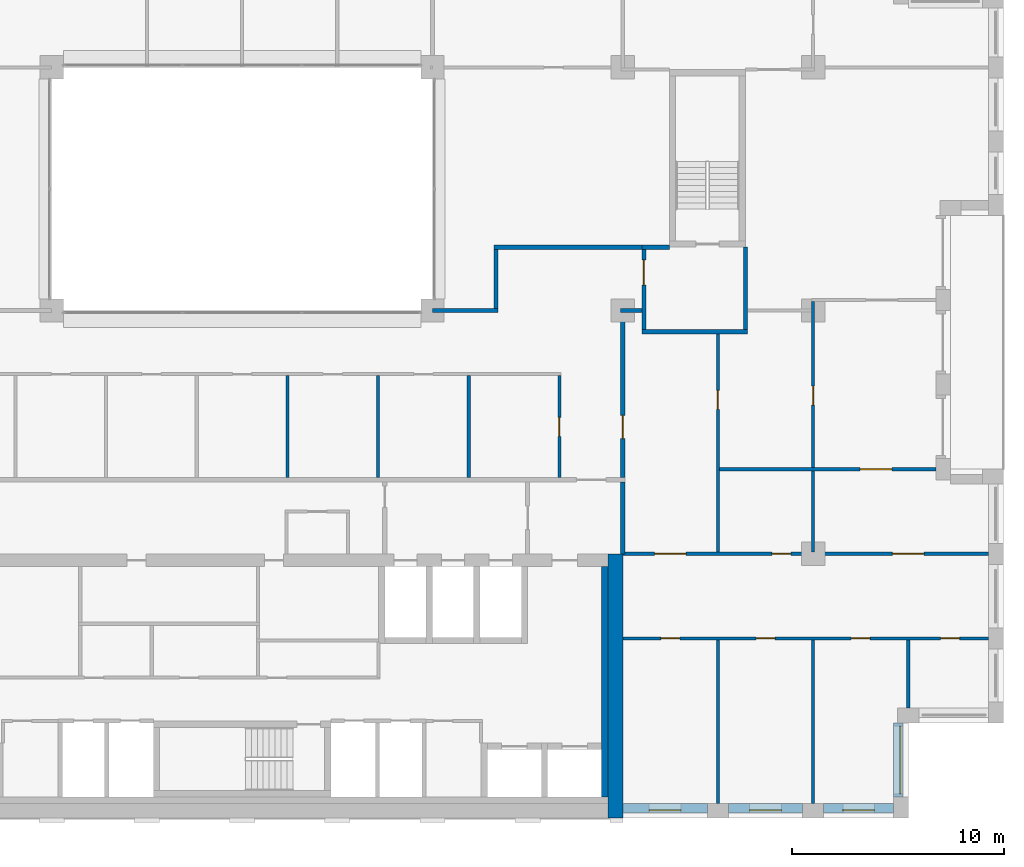
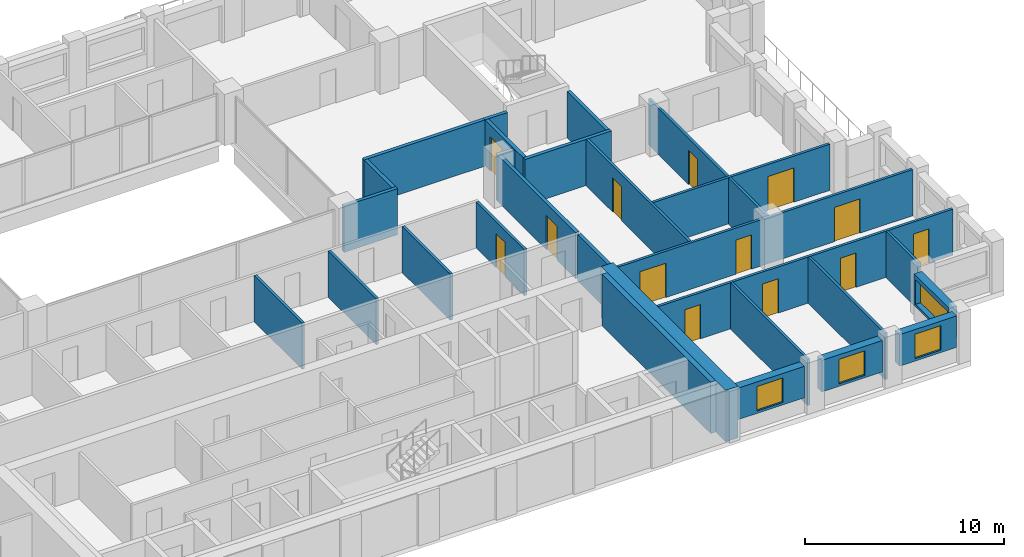
# One storey, part 11 of 15: 29 walls, 13 doors, 4 windows, 17 openings.
"""IFC4 building model written with IfcOpenShell, lengths in metres."""

from ifc_helpers import new_model, si_unit, direction, frame, frame_2d, origin, place, context, subcontext, project, spatial, rectangle, extrude, material, layer, layer_set, type_object, element, fill, save


model = new_model("IFC4")

# Units and contexts
model_context = context("Model", 3, precision=1e-05, world=origin(), true_north=direction((0.0, 1.0)))
body_context = subcontext(model_context, "Body", "Model", "MODEL_VIEW")
ifc_project = project(units=[si_unit("LENGTHUNIT", "METRE"), si_unit("AREAUNIT", "SQUARE_METRE"), si_unit("VOLUMEUNIT", "CUBIC_METRE"), si_unit("PLANEANGLEUNIT", "RADIAN"), si_unit("MASSUNIT", "GRAM", prefix="KILO")], contexts=[model_context])

# Site, building, storey
site_placement = place(None, origin())
site = spatial("IfcSite", under=ifc_project, at=site_placement, CompositionType="ELEMENT")
building_placement = place(site_placement, origin())
building = spatial("IfcBuilding", under=site, at=building_placement, Name="Brigalow Station Residences", CompositionType="ELEMENT")
storey_placement = place(building_placement, frame((0.0, 0.0, 175.949951171875)))
storey = spatial("IfcBuildingStorey", under=building, at=storey_placement, Name="L51", CompositionType="ELEMENT", Elevation=175.949951171875)

# Wall, opening, window
ifc_material_1 = material(Name="Clay brick masonry", Category="masonry")
ifc_layer_1 = layer(ifc_material_1, 0.449951171875)
ifc_layer_set_1 = layer_set([ifc_layer_1], Name="BRICK INFILL WALL 450")
wall_type_1 = type_object("IfcWallType", Name="BRICK INFILL WALL 450", PredefinedType="SOLIDWALL", material=ifc_layer_set_1)
wall_1_placement = place(storey_placement, frame((54.0, 0.47509765625, 0.900146484375), z_axis=(0.0, 0.0, 1.0), x_axis=(1.0, 0.0, 0.0)))
wall_1 = element("IfcWall", 1, at=wall_1_placement, inside=storey, type_object=wall_type_1, Name="L51/ewall/W-L51-4", PredefinedType="SOLIDWALL", context=body_context, shape_type="SweptSolid", body=[
    extrude(rectangle(XDim=4.0, YDim=0.449951171875, at=frame_2d((2.0, 0.0))), origin(), (0.0, 0.0, 1.0), 1.929931640625),
])
opening_1_placement = place(wall_1_placement, frame((1.25, 0.0, 0.14990234375)))
opening_1 = element("IfcOpeningElement", 2, at=opening_1_placement, cuts=wall_1, Name="Opening WT-1", PredefinedType="OPENING", context=body_context, shape_type="SweptSolid", body=[
    extrude(rectangle(XDim=1.5, YDim=1.5, at=frame_2d((0.75, 0.75))), frame((0.0, 0.23486328125, 0.0), z_axis=(0.0, -1.0, 0.0), x_axis=(1.0, 0.0, 0.0)), (0.0, 0.0, 1.0), 0.469970703125),
])
ifc_material_2 = material(Name="Anodised aluminium frame with double glazing", Category="aluminium")
window_type_1 = type_object("IfcWindowType", Name="WINDOW 1500x1500", PartitioningType="SINGLE_PANEL", PredefinedType="WINDOW", material=ifc_material_2)
window_1_placement = place(opening_1_placement, origin())
window_1 = element("IfcWindow", 3, at=window_1_placement, inside=storey, type_object=window_type_1, Name="L51/window/W-L51-4", OverallHeight=1.5, OverallWidth=1.5, PartitioningType="SINGLE_PANEL", PredefinedType="WINDOW", context=body_context, shape_type="SweptSolid", body=[
    extrude(rectangle(XDim=1.5, YDim=1.5, at=frame_2d((0.75, 0.75))), frame((0.0, -0.06494140625, 0.0), z_axis=(0.0, -1.0, 0.0), x_axis=(1.0, 0.0, 0.0)), (0.0, 0.0, 1.0), 0.06005859375),
])
fill(opening_1, window_1)

wall_2_placement = place(storey_placement, frame((59.0, 0.47509765625, 0.900146484375), z_axis=(0.0, 0.0, 1.0), x_axis=(1.0, 0.0, 0.0)))
wall_2 = element("IfcWall", 4, at=wall_2_placement, inside=storey, type_object=wall_type_1, Name="L51/ewall/W-L51-5", PredefinedType="SOLIDWALL", context=body_context, shape_type="SweptSolid", body=[
    extrude(rectangle(XDim=3.5, YDim=0.449951171875, at=frame_2d((1.75, 0.0))), origin(), (0.0, 0.0, 1.0), 1.929931640625),
])
opening_2_placement = place(wall_2_placement, frame((1.0, 0.0, 0.14990234375)))
opening_2 = element("IfcOpeningElement", 5, at=opening_2_placement, cuts=wall_2, Name="Opening WT-1", PredefinedType="OPENING", context=body_context, shape_type="SweptSolid", body=[
    extrude(rectangle(XDim=1.5, YDim=1.5, at=frame_2d((0.75, 0.75))), frame((0.0, 0.23486328125, 0.0), z_axis=(0.0, -1.0, 0.0), x_axis=(1.0, 0.0, 0.0)), (0.0, 0.0, 1.0), 0.469970703125),
])
window_2_placement = place(opening_2_placement, origin())
window_2 = element("IfcWindow", 6, at=window_2_placement, inside=storey, type_object=window_type_1, Name="L51/window/W-L51-5", OverallHeight=1.5, OverallWidth=1.5, PartitioningType="SINGLE_PANEL", PredefinedType="WINDOW", context=body_context, shape_type="SweptSolid", body=[
    extrude(rectangle(XDim=1.5, YDim=1.5, at=frame_2d((0.75, 0.75))), frame((0.0, -0.06494140625, 0.0), z_axis=(0.0, -1.0, 0.0), x_axis=(1.0, 0.0, 0.0)), (0.0, 0.0, 1.0), 0.06005859375),
])
fill(opening_2, window_2)

wall_3_placement = place(storey_placement, frame((63.5, 0.47509765625, 0.900146484375), z_axis=(0.0, 0.0, 1.0), x_axis=(1.0, 0.0, 0.0)))
wall_3 = element("IfcWall", 7, at=wall_3_placement, inside=storey, type_object=wall_type_1, Name="L51/ewall/W-L51-6", PredefinedType="SOLIDWALL", context=body_context, shape_type="SweptSolid", body=[
    extrude(rectangle(XDim=3.300048828125, YDim=0.449951171875, at=frame_2d((1.64990234375, 0.0))), origin(), (0.0, 0.0, 1.0), 1.929931640625),
])
opening_3_placement = place(wall_3_placement, frame((0.89990234375, 0.0, 0.14990234375)))
opening_3 = element("IfcOpeningElement", 8, at=opening_3_placement, cuts=wall_3, Name="Opening WT-1", PredefinedType="OPENING", context=body_context, shape_type="SweptSolid", body=[
    extrude(rectangle(XDim=1.5, YDim=1.5, at=frame_2d((0.75, 0.75))), frame((0.0, 0.23486328125, 0.0), z_axis=(0.0, -1.0, 0.0), x_axis=(1.0, 0.0, 0.0)), (0.0, 0.0, 1.0), 0.469970703125),
])
window_3_placement = place(opening_3_placement, origin())
window_3 = element("IfcWindow", 9, at=window_3_placement, inside=storey, type_object=window_type_1, Name="L51/window/W-L51-6", OverallHeight=1.5, OverallWidth=1.5, PartitioningType="SINGLE_PANEL", PredefinedType="WINDOW", context=body_context, shape_type="SweptSolid", body=[
    extrude(rectangle(XDim=1.5, YDim=1.5, at=frame_2d((0.75, 0.75))), frame((0.0, -0.06494140625, 0.0), z_axis=(0.0, -1.0, 0.0), x_axis=(1.0, 0.0, 0.0)), (0.0, 0.0, 1.0), 0.06005859375),
])
fill(opening_3, window_3)

wall_4_placement = place(storey_placement, frame((67.02490234375, 1.0, 0.900146484375), z_axis=(0.0, 0.0, 1.0), x_axis=(0.0, 1.0, 0.0)))
wall_4 = element("IfcWall", 10, at=wall_4_placement, inside=storey, type_object=wall_type_1, Name="L51/ewall/W-L51-7", PredefinedType="SOLIDWALL", context=body_context, shape_type="SweptSolid", body=[
    extrude(rectangle(XDim=3.5, YDim=0.449951171875, at=frame_2d((1.75, 0.0))), origin(), (0.0, 0.0, 1.0), 1.929931640625),
])
opening_4_placement = place(wall_4_placement, frame((0.14990234375, 0.0, 0.14990234375)))
opening_4 = element("IfcOpeningElement", 11, at=opening_4_placement, cuts=wall_4, Name="Opening WT-9", PredefinedType="OPENING", context=body_context, shape_type="SweptSolid", body=[
    extrude(rectangle(XDim=3.199951171875, YDim=1.5, at=frame_2d((1.60009765625, 0.75))), frame((0.0, 0.23486328125, 0.0), z_axis=(0.0, -1.0, 0.0), x_axis=(1.0, 0.0, 0.0)), (0.0, 0.0, 1.0), 0.469970703125),
])
ifc_material_3 = material(Name="Anodised aluminium frame with double glazing", Category="aluminium")
window_type_2 = type_object("IfcWindowType", Name="WINDOW 3200x1500", PartitioningType="SINGLE_PANEL", PredefinedType="WINDOW", material=ifc_material_3)
window_4_placement = place(opening_4_placement, origin())
window_4 = element("IfcWindow", 12, at=window_4_placement, inside=storey, type_object=window_type_2, Name="L51/window/W-L51-7", OverallHeight=1.5, OverallWidth=3.199951171875, PartitioningType="SINGLE_PANEL", PredefinedType="WINDOW", context=body_context, shape_type="SweptSolid", body=[
    extrude(rectangle(XDim=3.199951171875, YDim=1.5, at=frame_2d((1.60009765625, 0.75))), frame((0.0, -0.06494140625, 0.0), z_axis=(0.0, -1.0, 0.0), x_axis=(1.0, 0.0, 0.0)), (0.0, 0.0, 1.0), 0.06005859375),
])
fill(opening_4, window_4)

# Walls
ifc_material_4 = material(Name="Concrete C65", Category="concrete")
ifc_layer_2 = layer(ifc_material_4, 0.300048828125)
ifc_layer_set_2 = layer_set([ifc_layer_2], Name="CORE SHEAR WALL 300 C65")
wall_type_2 = type_object("IfcWallType", Name="CORE SHEAR WALL 300 C65", PredefinedType="SHEAR", material=ifc_layer_set_2)
wall_5_placement = place(storey_placement, frame((53.14990234375, 1.0, 0.0), z_axis=(0.0, 0.0, 1.0), x_axis=(0.0, 1.0, 0.0)))
element("IfcWall", 13, at=wall_5_placement, inside=storey, type_object=wall_type_2, Name="CORE WALL LIN-E L51", PredefinedType="SHEAR", context=body_context, shape_type="SweptSolid", body=[
    extrude(rectangle(XDim=10.89990234375, YDim=0.300048828125, at=frame_2d((5.449951171875, 0.0))), origin(), (0.0, 0.0, 1.0), 3.150146484375),
])
ifc_material_5 = material(Name="Concrete C65", Category="concrete")
ifc_layer_3 = layer(ifc_material_5, 0.699951171875)
ifc_layer_set_3 = layer_set([ifc_layer_3], Name="CORE SHEAR WALL 700 C65")
wall_type_3 = type_object("IfcWallType", Name="CORE SHEAR WALL 700 C65", PredefinedType="SHEAR", material=ifc_layer_set_3)
wall_6_placement = place(storey_placement, frame((53.64990234375, 0.0, 0.0), z_axis=(0.0, 0.0, 1.0), x_axis=(0.0, 1.0, 0.0)))
element("IfcWall", 14, at=wall_6_placement, inside=storey, type_object=wall_type_3, Name="CORE WALL OUT-E L51", PredefinedType="SHEAR", context=body_context, shape_type="SweptSolid", body=[
    extrude(rectangle(XDim=12.5, YDim=0.699951171875, at=frame_2d((6.25, 0.0))), origin(), (0.0, 0.0, 1.0), 3.150146484375),
])
ifc_material_6 = material(Name="Concrete blockwork", Category="masonry")
ifc_layer_4 = layer(ifc_material_6, 0.199951171875)
ifc_layer_set_4 = layer_set([ifc_layer_4], Name="FIRE RATED CORE PARTITION 200")
wall_type_4 = type_object("IfcWallType", Name="FIRE RATED CORE PARTITION 200", PredefinedType="PARTITIONING", material=ifc_layer_set_4)
wall_7_placement = place(storey_placement, frame((54.89990234375, 23.0, 0.0), z_axis=(0.0, 0.0, 1.0), x_axis=(1.0, 0.0, 0.0)))
element("IfcWall", 15, at=wall_7_placement, inside=storey, type_object=wall_type_4, Name="PW-5024", PredefinedType="PARTITIONING", context=body_context, shape_type="SweptSolid", body=[
    extrude(rectangle(XDim=5.0, YDim=0.199951171875, at=frame_2d((2.5, 0.0))), origin(), (0.0, 0.0, 1.0), 2.830078125),
])
wall_8_placement = place(storey_placement, frame((54.89990234375, 27.0, 0.0), z_axis=(0.0, 0.0, 1.0), x_axis=(1.0, 0.0, 0.0)))
element("IfcWall", 16, at=wall_8_placement, inside=storey, type_object=wall_type_4, Name="PW-5026", PredefinedType="PARTITIONING", context=body_context, shape_type="SweptSolid", body=[
    extrude(rectangle(XDim=1.300048828125, YDim=0.199951171875, at=frame_2d((0.64990234375, 0.0))), origin(), (0.0, 0.0, 1.0), 2.830078125),
])
wall_9_placement = place(storey_placement, frame((54.0, 12.5, 0.0), z_axis=(0.0, 0.0, 1.0), x_axis=(0.0, 1.0, 0.0)))
element("IfcWall", 17, at=wall_9_placement, inside=storey, type_object=wall_type_4, Name="PW-5016", PredefinedType="PARTITIONING", context=body_context, shape_type="SweptSolid", body=[
    extrude(rectangle(XDim=3.39990234375, YDim=0.199951171875, at=frame_2d((1.699951171875, 0.0))), origin(), (0.0, 0.0, 1.0), 2.830078125),
])

# Wall, opening, door
wall_10_placement = place(storey_placement, frame((55.0, 23.10009765625, 0.0), z_axis=(0.0, 0.0, 1.0), x_axis=(0.0, 1.0, 0.0)))
wall_10 = element("IfcWall", 18, at=wall_10_placement, inside=storey, type_object=wall_type_4, Name="PW-5036", PredefinedType="PARTITIONING", context=body_context, shape_type="SweptSolid", body=[
    extrude(rectangle(XDim=3.7998046875, YDim=0.199951171875, at=frame_2d((1.89990234375, 0.0))), origin(), (0.0, 0.0, 1.0), 2.830078125),
])
opening_5_placement = place(wall_10_placement, frame((2.10009765625, 0.0, 0.0)))
opening_5 = element("IfcOpeningElement", 19, at=opening_5_placement, cuts=wall_10, Name="Opening D-5019", PredefinedType="OPENING", context=body_context, shape_type="SweptSolid", body=[
    extrude(rectangle(XDim=1.199951171875, YDim=2.10009765625, at=frame_2d((0.60009765625, 1.050048828125))), frame((0.0, 0.10986328125, 0.0), z_axis=(0.0, -1.0, 0.0), x_axis=(1.0, 0.0, 0.0)), (0.0, 0.0, 1.0), 0.219970703125),
])
ifc_material_7 = material(Name="Steel fire door leaf in steel frame", Category="steel")
door_type_1 = type_object("IfcDoorType", Name="STAIR LOBBY DOOR 1200 x 2100 FD60S", OperationType="SINGLE_SWING_LEFT", PredefinedType="DOOR", material=ifc_material_7)
door_1_placement = place(opening_5_placement, frame((1.199951171875, 0.0, 0.0), z_axis=(0.0, 0.0, 1.0), x_axis=(-1.0, 0.0, 0.0)))
door_1 = element("IfcDoor", 20, at=door_1_placement, inside=storey, type_object=door_type_1, Name="D-5019", OperationType="SINGLE_SWING_LEFT", OverallHeight=2.10009765625, OverallWidth=1.199951171875, PredefinedType="DOOR", context=body_context, shape_type="SweptSolid", body=[
    extrude(rectangle(XDim=1.199951171875, YDim=2.10009765625, at=frame_2d((0.60009765625, 1.050048828125))), frame((0.0, 0.02490234375, 0.0), z_axis=(0.0, -1.0, 0.0), x_axis=(1.0, 0.0, 0.0)), (0.0, 0.0, 1.0), 0.050048828125),
])
fill(opening_5, door_1)

# Wall
wall_11_placement = place(storey_placement, frame((59.800048828125, 23.10009765625, 0.0), z_axis=(0.0, 0.0, 1.0), x_axis=(0.0, 1.0, 0.0)))
element("IfcWall", 21, at=wall_11_placement, inside=storey, type_object=wall_type_4, Name="PW-5037", PredefinedType="PARTITIONING", context=body_context, shape_type="SweptSolid", body=[
    extrude(rectangle(XDim=3.89990234375, YDim=0.199951171875, at=frame_2d((1.949951171875, 0.0))), origin(), (0.0, 0.0, 1.0), 2.830078125),
])

# Wall, openings, doors
ifc_material_8 = material(Name="Plasterboard on steel stud partition", Category="steel")
ifc_layer_5 = layer(ifc_material_8, 0.14990234375)
ifc_layer_set_5 = layer_set([ifc_layer_5], Name="FLAT PARTITION 150")
wall_type_5 = type_object("IfcWallType", Name="FLAT PARTITION 150", PredefinedType="PARTITIONING", material=ifc_layer_set_5)
wall_12_placement = place(storey_placement, frame((54.0, 8.5, 0.0), z_axis=(0.0, 0.0, 1.0), x_axis=(1.0, 0.0, 0.0)))
wall_12 = element("IfcWall", 22, at=wall_12_placement, inside=storey, type_object=wall_type_5, Name="PW-3E10", PredefinedType="PARTITIONING", context=body_context, shape_type="SweptSolid", body=[
    extrude(rectangle(XDim=17.300048828125, YDim=0.14990234375, at=frame_2d((8.64990234375, 0.0))), origin(), (0.0, 0.0, 1.0), 2.830078125),
])
opening_6_placement = place(wall_12_placement, frame((1.800048828125, 0.0, 0.0)))
opening_6 = element("IfcOpeningElement", 23, at=opening_6_placement, cuts=wall_12, Name="Opening D-3E21", PredefinedType="OPENING", context=body_context, shape_type="SweptSolid", body=[
    extrude(rectangle(XDim=0.89990234375, YDim=2.10009765625, at=frame_2d((0.449951171875, 1.050048828125))), frame((0.0, 0.0849609375, 0.0), z_axis=(0.0, -1.0, 0.0), x_axis=(1.0, 0.0, 0.0)), (0.0, 0.0, 1.0), 0.169921875),
])
opening_7_placement = place(wall_12_placement, frame((6.300048828125, 0.0, 0.0)))
opening_7 = element("IfcOpeningElement", 24, at=opening_7_placement, cuts=wall_12, Name="Opening D-3E22", PredefinedType="OPENING", context=body_context, shape_type="SweptSolid", body=[
    extrude(rectangle(XDim=0.89990234375, YDim=2.10009765625, at=frame_2d((0.449951171875, 1.050048828125))), frame((0.0, 0.0849609375, 0.0), z_axis=(0.0, -1.0, 0.0), x_axis=(1.0, 0.0, 0.0)), (0.0, 0.0, 1.0), 0.169921875),
])
opening_8_placement = place(wall_12_placement, frame((10.800048828125, 0.0, 0.0)))
opening_8 = element("IfcOpeningElement", 25, at=opening_8_placement, cuts=wall_12, Name="Opening D-3E23", PredefinedType="OPENING", context=body_context, shape_type="SweptSolid", body=[
    extrude(rectangle(XDim=0.89990234375, YDim=2.10009765625, at=frame_2d((0.449951171875, 1.050048828125))), frame((0.0, 0.0849609375, 0.0), z_axis=(0.0, -1.0, 0.0), x_axis=(1.0, 0.0, 0.0)), (0.0, 0.0, 1.0), 0.169921875),
])
opening_9_placement = place(wall_12_placement, frame((15.02490234375, 0.0, 0.0)))
opening_9 = element("IfcOpeningElement", 26, at=opening_9_placement, cuts=wall_12, Name="Opening D-3E24", PredefinedType="OPENING", context=body_context, shape_type="SweptSolid", body=[
    extrude(rectangle(XDim=0.89990234375, YDim=2.10009765625, at=frame_2d((0.449951171875, 1.050048828125))), frame((0.0, 0.0849609375, 0.0), z_axis=(0.0, -1.0, 0.0), x_axis=(1.0, 0.0, 0.0)), (0.0, 0.0, 1.0), 0.169921875),
])
ifc_material_9 = material(Name="Solid-core timber door leaf", Category="wood")
door_type_2 = type_object("IfcDoorType", Name="INTERNAL DOOR 900 x 2100", OperationType="SINGLE_SWING_LEFT", PredefinedType="DOOR", material=ifc_material_9)
door_2_placement = place(opening_6_placement, frame((0.89990234375, 0.0, 0.0), z_axis=(0.0, 0.0, 1.0), x_axis=(-1.0, 0.0, 0.0)))
door_2 = element("IfcDoor", 27, at=door_2_placement, inside=storey, type_object=door_type_2, Name="D-3E21", OperationType="SINGLE_SWING_LEFT", OverallHeight=2.10009765625, OverallWidth=0.89990234375, PredefinedType="DOOR", context=body_context, shape_type="SweptSolid", body=[
    extrude(rectangle(XDim=0.89990234375, YDim=2.10009765625, at=frame_2d((0.449951171875, 1.050048828125))), frame((0.0, 0.02490234375, 0.0), z_axis=(0.0, -1.0, 0.0), x_axis=(1.0, 0.0, 0.0)), (0.0, 0.0, 1.0), 0.050048828125),
])
fill(opening_6, door_2)
door_3_placement = place(opening_7_placement, frame((0.89990234375, 0.0, 0.0), z_axis=(0.0, 0.0, 1.0), x_axis=(-1.0, 0.0, 0.0)))
door_3 = element("IfcDoor", 28, at=door_3_placement, inside=storey, type_object=door_type_2, Name="D-3E22", OperationType="SINGLE_SWING_LEFT", OverallHeight=2.10009765625, OverallWidth=0.89990234375, PredefinedType="DOOR", context=body_context, shape_type="SweptSolid", body=[
    extrude(rectangle(XDim=0.89990234375, YDim=2.10009765625, at=frame_2d((0.449951171875, 1.050048828125))), frame((0.0, 0.02490234375, 0.0), z_axis=(0.0, -1.0, 0.0), x_axis=(1.0, 0.0, 0.0)), (0.0, 0.0, 1.0), 0.050048828125),
])
fill(opening_7, door_3)
door_4_placement = place(opening_8_placement, frame((0.89990234375, 0.0, 0.0), z_axis=(0.0, 0.0, 1.0), x_axis=(-1.0, 0.0, 0.0)))
door_4 = element("IfcDoor", 29, at=door_4_placement, inside=storey, type_object=door_type_2, Name="D-3E23", OperationType="SINGLE_SWING_LEFT", OverallHeight=2.10009765625, OverallWidth=0.89990234375, PredefinedType="DOOR", context=body_context, shape_type="SweptSolid", body=[
    extrude(rectangle(XDim=0.89990234375, YDim=2.10009765625, at=frame_2d((0.449951171875, 1.050048828125))), frame((0.0, 0.02490234375, 0.0), z_axis=(0.0, -1.0, 0.0), x_axis=(1.0, 0.0, 0.0)), (0.0, 0.0, 1.0), 0.050048828125),
])
fill(opening_8, door_4)
door_5_placement = place(opening_9_placement, frame((0.89990234375, 0.0, 0.0), z_axis=(0.0, 0.0, 1.0), x_axis=(-1.0, 0.0, 0.0)))
door_5 = element("IfcDoor", 30, at=door_5_placement, inside=storey, type_object=door_type_2, Name="D-3E24", OperationType="SINGLE_SWING_LEFT", OverallHeight=2.10009765625, OverallWidth=0.89990234375, PredefinedType="DOOR", context=body_context, shape_type="SweptSolid", body=[
    extrude(rectangle(XDim=0.89990234375, YDim=2.10009765625, at=frame_2d((0.449951171875, 1.050048828125))), frame((0.0, 0.02490234375, 0.0), z_axis=(0.0, -1.0, 0.0), x_axis=(1.0, 0.0, 0.0)), (0.0, 0.0, 1.0), 0.050048828125),
])
fill(opening_9, door_5)

# Wall, opening, door
wall_13_placement = place(storey_placement, frame((58.574951171875, 16.5, 0.0), z_axis=(0.0, 0.0, 1.0), x_axis=(1.0, 0.0, 0.0)))
wall_13 = element("IfcWall", 31, at=wall_13_placement, inside=storey, type_object=wall_type_5, Name="PW-3E12", PredefinedType="PARTITIONING", context=body_context, shape_type="SweptSolid", body=[
    extrude(rectangle(XDim=10.22509765625, YDim=0.14990234375, at=frame_2d((5.112548828125, 0.0))), origin(), (0.0, 0.0, 1.0), 2.830078125),
])
opening_10_placement = place(wall_13_placement, frame((6.64990234375, 0.0, 0.0)))
opening_10 = element("IfcOpeningElement", 32, at=opening_10_placement, cuts=wall_13, Name="Opening D-3E28", PredefinedType="OPENING", context=body_context, shape_type="SweptSolid", body=[
    extrude(rectangle(XDim=1.5, YDim=2.10009765625, at=frame_2d((0.75, 1.050048828125))), frame((0.0, 0.0849609375, 0.0), z_axis=(0.0, -1.0, 0.0), x_axis=(1.0, 0.0, 0.0)), (0.0, 0.0, 1.0), 0.169921875),
])
ifc_material_10 = material(Name="Solid-core timber door leaf", Category="wood")
door_type_3 = type_object("IfcDoorType", Name="INTERNAL DOUBLE DOOR 1500 x 2100", OperationType="DOUBLE_DOOR_SINGLE_SWING", PredefinedType="DOOR", material=ifc_material_10)
door_6_placement = place(opening_10_placement, frame((1.5, 0.0, 0.0), z_axis=(0.0, 0.0, 1.0), x_axis=(-1.0, 0.0, 0.0)))
door_6 = element("IfcDoor", 33, at=door_6_placement, inside=storey, type_object=door_type_3, Name="D-3E28", OperationType="DOUBLE_DOOR_SINGLE_SWING", OverallHeight=2.10009765625, OverallWidth=1.5, PredefinedType="DOOR", context=body_context, shape_type="SweptSolid", body=[
    extrude(rectangle(XDim=1.5, YDim=2.10009765625, at=frame_2d((0.75, 1.050048828125))), frame((0.0, 0.02490234375, 0.0), z_axis=(0.0, -1.0, 0.0), x_axis=(1.0, 0.0, 0.0)), (0.0, 0.0, 1.0), 0.050048828125),
])
fill(opening_10, door_6)

# Wall, openings, doors
wall_14_placement = place(storey_placement, frame((54.0, 12.5, 0.0), z_axis=(0.0, 0.0, 1.0), x_axis=(1.0, 0.0, 0.0)))
wall_14 = element("IfcWall", 34, at=wall_14_placement, inside=storey, type_object=wall_type_5, Name="PW-3E14", PredefinedType="PARTITIONING", context=body_context, shape_type="SweptSolid", body=[
    extrude(rectangle(XDim=17.300048828125, YDim=0.14990234375, at=frame_2d((8.64990234375, 0.0))), origin(), (0.0, 0.0, 1.0), 2.830078125),
])
opening_11_placement = place(wall_14_placement, frame((1.5, 0.0, 0.0)))
opening_11 = element("IfcOpeningElement", 35, at=opening_11_placement, cuts=wall_14, Name="Opening D-3E20", PredefinedType="OPENING", context=body_context, shape_type="SweptSolid", body=[
    extrude(rectangle(XDim=1.5, YDim=2.10009765625, at=frame_2d((0.75, 1.050048828125))), frame((0.0, 0.0849609375, 0.0), z_axis=(0.0, -1.0, 0.0), x_axis=(1.0, 0.0, 0.0)), (0.0, 0.0, 1.0), 0.169921875),
])
opening_12_placement = place(wall_14_placement, frame((7.050048828125, 0.0, 0.0)))
opening_12 = element("IfcOpeningElement", 36, at=opening_12_placement, cuts=wall_14, Name="Opening D-3E25", PredefinedType="OPENING", context=body_context, shape_type="SweptSolid", body=[
    extrude(rectangle(XDim=0.89990234375, YDim=2.10009765625, at=frame_2d((0.449951171875, 1.050048828125))), frame((0.0, 0.0849609375, 0.0), z_axis=(0.0, -1.0, 0.0), x_axis=(1.0, 0.0, 0.0)), (0.0, 0.0, 1.0), 0.169921875),
])
opening_13_placement = place(wall_14_placement, frame((12.75, 0.0, 0.0)))
opening_13 = element("IfcOpeningElement", 37, at=opening_13_placement, cuts=wall_14, Name="Opening D-3E26", PredefinedType="OPENING", context=body_context, shape_type="SweptSolid", body=[
    extrude(rectangle(XDim=1.5, YDim=2.10009765625, at=frame_2d((0.75, 1.050048828125))), frame((0.0, 0.0849609375, 0.0), z_axis=(0.0, -1.0, 0.0), x_axis=(1.0, 0.0, 0.0)), (0.0, 0.0, 1.0), 0.169921875),
])
door_7_placement = place(opening_12_placement, origin())
door_7 = element("IfcDoor", 38, at=door_7_placement, inside=storey, type_object=door_type_2, Name="D-3E25", OperationType="SINGLE_SWING_RIGHT", OverallHeight=2.10009765625, OverallWidth=0.89990234375, PredefinedType="DOOR", context=body_context, shape_type="SweptSolid", body=[
    extrude(rectangle(XDim=0.89990234375, YDim=2.10009765625, at=frame_2d((0.449951171875, 1.050048828125))), frame((0.0, 0.02490234375, 0.0), z_axis=(0.0, -1.0, 0.0), x_axis=(1.0, 0.0, 0.0)), (0.0, 0.0, 1.0), 0.050048828125),
])
fill(opening_12, door_7)
door_8_placement = place(opening_11_placement, origin())
door_8 = element("IfcDoor", 39, at=door_8_placement, inside=storey, type_object=door_type_3, Name="D-3E20", OperationType="DOUBLE_DOOR_SINGLE_SWING", OverallHeight=2.10009765625, OverallWidth=1.5, PredefinedType="DOOR", context=body_context, shape_type="SweptSolid", body=[
    extrude(rectangle(XDim=1.5, YDim=2.10009765625, at=frame_2d((0.75, 1.050048828125))), frame((0.0, 0.02490234375, 0.0), z_axis=(0.0, -1.0, 0.0), x_axis=(1.0, 0.0, 0.0)), (0.0, 0.0, 1.0), 0.050048828125),
])
fill(opening_11, door_8)
door_9_placement = place(opening_13_placement, origin())
door_9 = element("IfcDoor", 40, at=door_9_placement, inside=storey, type_object=door_type_3, Name="D-3E26", OperationType="DOUBLE_DOOR_SINGLE_SWING", OverallHeight=2.10009765625, OverallWidth=1.5, PredefinedType="DOOR", context=body_context, shape_type="SweptSolid", body=[
    extrude(rectangle(XDim=1.5, YDim=2.10009765625, at=frame_2d((0.75, 1.050048828125))), frame((0.0, 0.02490234375, 0.0), z_axis=(0.0, -1.0, 0.0), x_axis=(1.0, 0.0, 0.0)), (0.0, 0.0, 1.0), 0.050048828125),
])
fill(opening_13, door_9)

# Wall, opening, door
wall_15_placement = place(storey_placement, frame((51.0, 16.10009765625, 0.0), z_axis=(0.0, 0.0, 1.0), x_axis=(0.0, 1.0, 0.0)))
wall_15 = element("IfcWall", 41, at=wall_15_placement, inside=storey, type_object=wall_type_5, Name="PW-3E32", PredefinedType="PARTITIONING", context=body_context, shape_type="SweptSolid", body=[
    extrude(rectangle(XDim=4.824951171875, YDim=0.14990234375, at=frame_2d((2.41259765625, 0.0))), origin(), (0.0, 0.0, 1.0), 2.830078125),
])
opening_14_placement = place(wall_15_placement, frame((1.949951171875, 0.0, 0.0)))
opening_14 = element("IfcOpeningElement", 42, at=opening_14_placement, cuts=wall_15, Name="Opening D-3E41", PredefinedType="OPENING", context=body_context, shape_type="SweptSolid", body=[
    extrude(rectangle(XDim=0.89990234375, YDim=2.10009765625, at=frame_2d((0.449951171875, 1.050048828125))), frame((0.0, 0.0849609375, 0.0), z_axis=(0.0, -1.0, 0.0), x_axis=(1.0, 0.0, 0.0)), (0.0, 0.0, 1.0), 0.169921875),
])
door_10_placement = place(opening_14_placement, origin())
door_10 = element("IfcDoor", 43, at=door_10_placement, inside=storey, type_object=door_type_2, Name="D-3E41", OperationType="SINGLE_SWING_LEFT", OverallHeight=2.10009765625, OverallWidth=0.89990234375, PredefinedType="DOOR", context=body_context, shape_type="SweptSolid", body=[
    extrude(rectangle(XDim=0.89990234375, YDim=2.10009765625, at=frame_2d((0.449951171875, 1.050048828125))), frame((0.0, 0.02490234375, 0.0), z_axis=(0.0, -1.0, 0.0), x_axis=(1.0, 0.0, 0.0)), (0.0, 0.0, 1.0), 0.050048828125),
])
fill(opening_14, door_10)

# Wall
wall_16_placement = place(storey_placement, frame((58.5, 0.699951171875, 0.0), z_axis=(0.0, 0.0, 1.0), x_axis=(0.0, 1.0, 0.0)))
element("IfcWall", 44, at=wall_16_placement, inside=storey, type_object=wall_type_5, Name="PW-3E44", PredefinedType="PARTITIONING", context=body_context, shape_type="SweptSolid", body=[
    extrude(rectangle(XDim=7.72509765625, YDim=0.14990234375, at=frame_2d((3.862548828125, 0.0))), origin(), (0.0, 0.0, 1.0), 2.830078125),
])

# Wall, opening, door
wall_17_placement = place(storey_placement, frame((58.5, 12.574951171875, 0.0), z_axis=(0.0, 0.0, 1.0), x_axis=(0.0, 1.0, 0.0)))
wall_17 = element("IfcWall", 45, at=wall_17_placement, inside=storey, type_object=wall_type_5, Name="PW-3E45", PredefinedType="PARTITIONING", context=body_context, shape_type="SweptSolid", body=[
    extrude(rectangle(XDim=10.324951171875, YDim=0.14990234375, at=frame_2d((5.16259765625, 0.0))), origin(), (0.0, 0.0, 1.0), 2.830078125),
])
opening_15_placement = place(wall_17_placement, frame((6.75, 0.0, 0.0)))
opening_15 = element("IfcOpeningElement", 46, at=opening_15_placement, cuts=wall_17, Name="Opening D-3E19", PredefinedType="OPENING", context=body_context, shape_type="SweptSolid", body=[
    extrude(rectangle(XDim=0.89990234375, YDim=2.10009765625, at=frame_2d((0.449951171875, 1.050048828125))), frame((0.0, 0.0849609375, 0.0), z_axis=(0.0, -1.0, 0.0), x_axis=(1.0, 0.0, 0.0)), (0.0, 0.0, 1.0), 0.169921875),
])
door_11_placement = place(opening_15_placement, frame((0.89990234375, 0.0, 0.0), z_axis=(0.0, 0.0, 1.0), x_axis=(-1.0, 0.0, 0.0)))
door_11 = element("IfcDoor", 47, at=door_11_placement, inside=storey, type_object=door_type_2, Name="D-3E19", OperationType="SINGLE_SWING_LEFT", OverallHeight=2.10009765625, OverallWidth=0.89990234375, PredefinedType="DOOR", context=body_context, shape_type="SweptSolid", body=[
    extrude(rectangle(XDim=0.89990234375, YDim=2.10009765625, at=frame_2d((0.449951171875, 1.050048828125))), frame((0.0, 0.02490234375, 0.0), z_axis=(0.0, -1.0, 0.0), x_axis=(1.0, 0.0, 0.0)), (0.0, 0.0, 1.0), 0.050048828125),
])
fill(opening_15, door_11)

# Walls
wall_18_placement = place(storey_placement, frame((63.0, 0.699951171875, 0.0), z_axis=(0.0, 0.0, 1.0), x_axis=(0.0, 1.0, 0.0)))
element("IfcWall", 48, at=wall_18_placement, inside=storey, type_object=wall_type_5, Name="PW-3E46", PredefinedType="PARTITIONING", context=body_context, shape_type="SweptSolid", body=[
    extrude(rectangle(XDim=7.72509765625, YDim=0.14990234375, at=frame_2d((3.862548828125, 0.0))), origin(), (0.0, 0.0, 1.0), 2.830078125),
])
wall_19_placement = place(storey_placement, frame((63.0, 12.574951171875, 0.0), z_axis=(0.0, 0.0, 1.0), x_axis=(0.0, 1.0, 0.0)))
element("IfcWall", 49, at=wall_19_placement, inside=storey, type_object=wall_type_5, Name="PW-3E47", PredefinedType="PARTITIONING", context=body_context, shape_type="SweptSolid", body=[
    extrude(rectangle(XDim=3.85009765625, YDim=0.14990234375, at=frame_2d((1.925048828125, 0.0))), origin(), (0.0, 0.0, 1.0), 2.830078125),
])

# Wall, opening, door
wall_20_placement = place(storey_placement, frame((63.0, 16.574951171875, 0.0), z_axis=(0.0, 0.0, 1.0), x_axis=(0.0, 1.0, 0.0)))
wall_20 = element("IfcWall", 50, at=wall_20_placement, inside=storey, type_object=wall_type_5, Name="PW-3E48", PredefinedType="PARTITIONING", context=body_context, shape_type="SweptSolid", body=[
    extrude(rectangle(XDim=7.85009765625, YDim=0.14990234375, at=frame_2d((3.925048828125, 0.0))), origin(), (0.0, 0.0, 1.0), 2.830078125),
])
opening_16_placement = place(wall_20_placement, frame((2.949951171875, 0.0, 0.0)))
opening_16 = element("IfcOpeningElement", 51, at=opening_16_placement, cuts=wall_20, Name="Opening D-3E27", PredefinedType="OPENING", context=body_context, shape_type="SweptSolid", body=[
    extrude(rectangle(XDim=0.89990234375, YDim=2.10009765625, at=frame_2d((0.449951171875, 1.050048828125))), frame((0.0, 0.0849609375, 0.0), z_axis=(0.0, -1.0, 0.0), x_axis=(1.0, 0.0, 0.0)), (0.0, 0.0, 1.0), 0.169921875),
])
door_12_placement = place(opening_16_placement, origin())
door_12 = element("IfcDoor", 52, at=door_12_placement, inside=storey, type_object=door_type_2, Name="D-3E27", OperationType="SINGLE_SWING_LEFT", OverallHeight=2.10009765625, OverallWidth=0.89990234375, PredefinedType="DOOR", context=body_context, shape_type="SweptSolid", body=[
    extrude(rectangle(XDim=0.89990234375, YDim=2.10009765625, at=frame_2d((0.449951171875, 1.050048828125))), frame((0.0, 0.02490234375, 0.0), z_axis=(0.0, -1.0, 0.0), x_axis=(1.0, 0.0, 0.0)), (0.0, 0.0, 1.0), 0.050048828125),
])
fill(opening_16, door_12)

# Walls
wall_21_placement = place(storey_placement, frame((67.5, 5.199951171875, 0.0), z_axis=(0.0, 0.0, 1.0), x_axis=(0.0, 1.0, 0.0)))
element("IfcWall", 53, at=wall_21_placement, inside=storey, type_object=wall_type_5, Name="PW-3E50", PredefinedType="PARTITIONING", context=body_context, shape_type="SweptSolid", body=[
    extrude(rectangle(XDim=3.22509765625, YDim=0.14990234375, at=frame_2d((1.612548828125, 0.0))), origin(), (0.0, 0.0, 1.0), 2.830078125),
])
for number, where, z_axis, x_axis, name in (
    (54, (38.14306640625, 16.10009765625, 0.0), (0.0, 0.0, 1.0), (0.0, 1.0, 0.0), "PW-3E54"),
    (55, (42.428955078125, 16.10009765625, 0.0), (0.0, 0.0, 1.0), (0.0, 1.0, 0.0), "PW-3E55"),
    (56, (46.714111328125, 16.10009765625, 0.0), (0.0, 0.0, 1.0), (0.0, 1.0, 0.0), "PW-3E56"),
):
    element("IfcWall", number, at=place(storey_placement, frame(where, z_axis=z_axis, x_axis=x_axis)), inside=storey, type_object=wall_type_5, Name=name, PredefinedType="PARTITIONING", context=body_context, shape_type="SweptSolid", body=[
        extrude(rectangle(XDim=4.824951171875, YDim=0.14990234375, at=frame_2d((2.41259765625, 0.0))), origin(), (0.0, 0.0, 1.0), 2.830078125),
    ])
ifc_material_11 = material(Name="Plasterboard on steel stud partition", Category="steel")
ifc_layer_6 = layer(ifc_material_11, 0.199951171875)
ifc_layer_set_6 = layer_set([ifc_layer_6], Name="PARTY AND CORRIDOR WALL 200")
wall_type_6 = type_object("IfcWallType", Name="PARTY AND CORRIDOR WALL 200", PredefinedType="PARTITIONING", material=ifc_layer_set_6)
wall_22_placement = place(storey_placement, frame((45.0, 24.0, 0.0), z_axis=(0.0, 0.0, 1.0), x_axis=(1.0, 0.0, 0.0)))
element("IfcWall", 57, at=wall_22_placement, inside=storey, type_object=wall_type_6, Name="PW-3E04", PredefinedType="PARTITIONING", context=body_context, shape_type="SweptSolid", body=[
    extrude(rectangle(XDim=3.10009765625, YDim=0.199951171875, at=frame_2d((1.550048828125, 0.0))), origin(), (0.0, 0.0, 1.0), 2.830078125),
])
wall_23_placement = place(storey_placement, frame((53.89990234375, 24.0, 0.0), z_axis=(0.0, 0.0, 1.0), x_axis=(1.0, 0.0, 0.0)))
element("IfcWall", 58, at=wall_23_placement, inside=storey, type_object=wall_type_6, Name="PW-3E05", PredefinedType="PARTITIONING", context=body_context, shape_type="SweptSolid", body=[
    extrude(rectangle(XDim=1.0, YDim=0.199951171875, at=frame_2d((0.5, 0.0))), origin(), (0.0, 0.0, 1.0), 2.830078125),
])
wall_24_placement = place(storey_placement, frame((47.89990234375, 27.0, 0.0), z_axis=(0.0, 0.0, 1.0), x_axis=(1.0, 0.0, 0.0)))
element("IfcWall", 59, at=wall_24_placement, inside=storey, type_object=wall_type_6, Name="PW-3E08", PredefinedType="PARTITIONING", context=body_context, shape_type="SweptSolid", body=[
    extrude(rectangle(XDim=7.0, YDim=0.199951171875, at=frame_2d((3.5, 0.0))), origin(), (0.0, 0.0, 1.0), 2.830078125),
])

# Wall, opening, door
wall_25_placement = place(storey_placement, frame((54.0, 16.10009765625, 0.0), z_axis=(0.0, 0.0, 1.0), x_axis=(0.0, 1.0, 0.0)))
wall_25 = element("IfcWall", 60, at=wall_25_placement, inside=storey, type_object=wall_type_6, Name="PW-3E30", PredefinedType="PARTITIONING", context=body_context, shape_type="SweptSolid", body=[
    extrude(rectangle(XDim=7.7998046875, YDim=0.199951171875, at=frame_2d((3.89990234375, 0.0))), origin(), (0.0, 0.0, 1.0), 2.830078125),
])
opening_17_placement = place(wall_25_placement, frame((1.85009765625, 0.0, 0.0)))
opening_17 = element("IfcOpeningElement", 61, at=opening_17_placement, cuts=wall_25, Name="Opening D-3E18", PredefinedType="OPENING", context=body_context, shape_type="SweptSolid", body=[
    extrude(rectangle(XDim=1.10009765625, YDim=2.10009765625, at=frame_2d((0.550048828125, 1.050048828125))), frame((0.0, 0.10986328125, 0.0), z_axis=(0.0, -1.0, 0.0), x_axis=(1.0, 0.0, 0.0)), (0.0, 0.0, 1.0), 0.219970703125),
])
ifc_material_12 = material(Name="Solid-core timber door leaf", Category="wood")
door_type_4 = type_object("IfcDoorType", Name="FLAT ENTRANCE DOOR 1100 x 2100 FRL -/60/30", OperationType="SINGLE_SWING_LEFT", PredefinedType="DOOR", material=ifc_material_12)
door_13_placement = place(opening_17_placement, frame((1.10009765625, 0.0, 0.0), z_axis=(0.0, 0.0, 1.0), x_axis=(-1.0, 0.0, 0.0)))
door_13 = element("IfcDoor", 62, at=door_13_placement, inside=storey, type_object=door_type_4, Name="D-3E18", OperationType="SINGLE_SWING_LEFT", OverallHeight=2.10009765625, OverallWidth=1.10009765625, PredefinedType="DOOR", context=body_context, shape_type="SweptSolid", body=[
    extrude(rectangle(XDim=1.10009765625, YDim=2.10009765625, at=frame_2d((0.550048828125, 1.050048828125))), frame((0.0, 0.02490234375, 0.0), z_axis=(0.0, -1.0, 0.0), x_axis=(1.0, 0.0, 0.0)), (0.0, 0.0, 1.0), 0.050048828125),
])
fill(opening_17, door_13)

# Wall
wall_26_placement = place(storey_placement, frame((48.0, 24.10009765625, 0.0), z_axis=(0.0, 0.0, 1.0), x_axis=(0.0, 1.0, 0.0)))
element("IfcWall", 63, at=wall_26_placement, inside=storey, type_object=wall_type_6, Name="PW-3E34", PredefinedType="PARTITIONING", context=body_context, shape_type="SweptSolid", body=[
    extrude(rectangle(XDim=2.7998046875, YDim=0.199951171875, at=frame_2d((1.39990234375, 0.0))), origin(), (0.0, 0.0, 1.0), 2.830078125),
])

save(model, "model.ifc")
